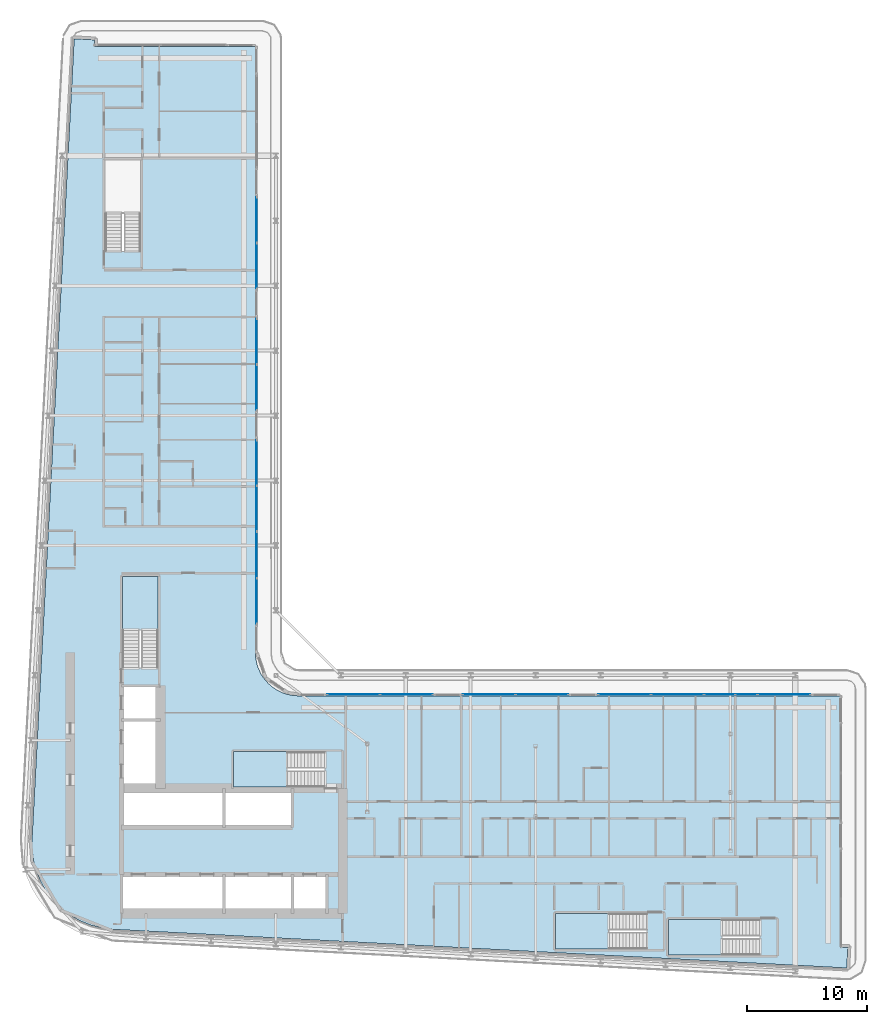
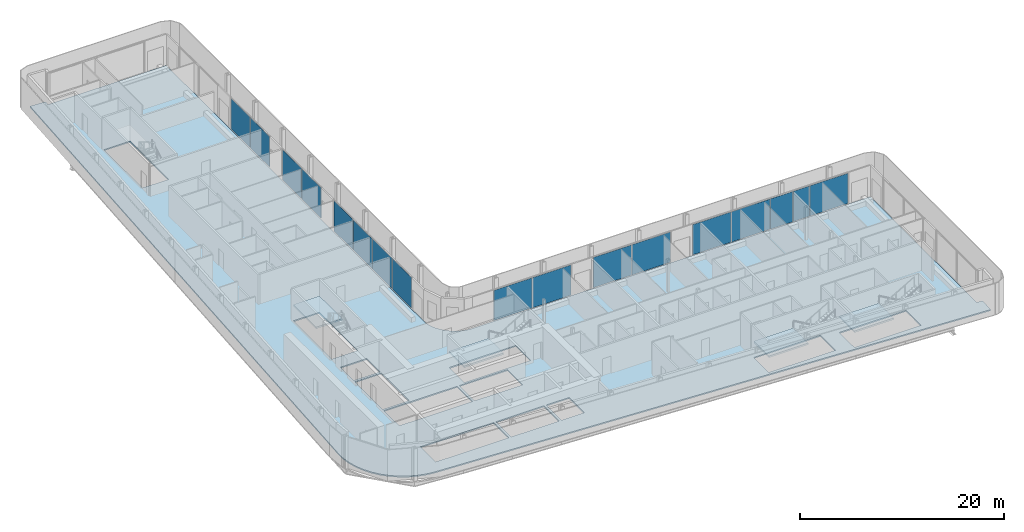
# One storey, part 12 of 29: 17 plates, 5 slabs, 12 elements without a shape of their own.
"""IFC4 building model written with IfcOpenShell, lengths in metres."""

import ifcopenshell
import ifcopenshell.guid

model = None  # the IFC model being written
_history = None  # IfcOwnerHistory: only IFC2X3 demands one
_inside = {}  # id of a spatial element -> (the spatial element, [elements in it])
_under = {}  # id of a project, library or spatial element -> (it, [spatial elements below it])
_declared = {}  # id of a project -> (the project, [libraries it declares])
_typed = {}  # id of a type object -> (the type object, [elements of that type])
_made_of = {}  # id of a material, layer set ... -> (it, [elements and type objects made of it])


def new_model(schema):
    """Start an empty IFC model of exactly this schema.

    Asked for "IFC4X3", IfcOpenShell would pick the latest addendum, in which some entities
    have other attributes; the version numbers below select the first issue.
    IFC2X3 requires an IfcOwnerHistory on every rooted entity: one is made here for all.
    """
    global model, _history
    if schema == "IFC4X3":
        model = ifcopenshell.file(schema_version=(4, 3, 0, 0))
    else:
        model = ifcopenshell.file(schema=schema)
    _inside.clear()
    _under.clear()
    _declared.clear()
    _typed.clear()
    _made_of.clear()
    _history = None
    if model.schema == "IFC2X3":
        org = make("IfcOrganization", Name="unknown")
        user = make(
            "IfcPersonAndOrganization",
            ThePerson=make("IfcPerson", FamilyName="unknown"),
            TheOrganization=org,
        )
        app = make(
            "IfcApplication",
            ApplicationDeveloper=org,
            Version="unknown",
            ApplicationFullName="unknown",
            ApplicationIdentifier="unknown",
        )
        _history = make(
            "IfcOwnerHistory",
            OwningUser=user,
            OwningApplication=app,
            ChangeAction="ADDED",
            CreationDate=0,
        )
    return model


def make(cls, **values):
    """One entity of the class cls with the attributes given. An attribute that is None is left unset."""
    return model.create_entity(
        cls, **{name: value for name, value in values.items() if value is not None}
    )


def rooted(cls, **values):
    """An entity with a GlobalId (a new one), such as an element, a storey or a relation."""
    return make(cls, GlobalId=ifcopenshell.guid.new(), OwnerHistory=_history, **values)


def si_unit(unit_type, name, prefix=None):
    """IfcSIUnit, for example si_unit("LENGTHUNIT", "METRE", prefix="MILLI")."""
    return make("IfcSIUnit", UnitType=unit_type, Prefix=prefix, Name=name)


def assignment(units):
    """IfcUnitAssignment: the units of a project."""
    return None if units is None else make("IfcUnitAssignment", Units=units)


def point(xyz):
    """IfcCartesianPoint."""
    return None if xyz is None else make("IfcCartesianPoint", Coordinates=xyz)


def direction(xyz):
    """IfcDirection."""
    return None if xyz is None else make("IfcDirection", DirectionRatios=xyz)


def frame(location, z_axis=None, x_axis=None):
    """IfcAxis2Placement3D, a coordinate frame: its origin and axes. An axis left out is left unset."""
    return make(
        "IfcAxis2Placement3D",
        Location=point(location),
        Axis=direction(z_axis),
        RefDirection=direction(x_axis),
    )


def frame_2d(location, x_axis=None):
    """IfcAxis2Placement2D, a coordinate frame in the plane: its origin and x axis."""
    return make(
        "IfcAxis2Placement2D", Location=point(location), RefDirection=direction(x_axis)
    )


def origin():
    """The frame at (0, 0, 0) with its axes left unset."""
    return frame((0.0, 0.0, 0.0))


def origin_2d():
    """The frame at (0, 0) in the plane with its x axis left unset."""
    return frame_2d((0.0, 0.0))


def place(relative_to, where):
    """IfcLocalPlacement: puts the frame where relative to a parent placement (None: the world)."""
    return make(
        "IfcLocalPlacement", PlacementRelTo=relative_to, RelativePlacement=where
    )


def context(
    kind, dimensions, precision=None, world=None, true_north=None, identifier=None
):
    """IfcGeometricRepresentationContext, for example the 3D "Model" context."""
    return make(
        "IfcGeometricRepresentationContext",
        ContextIdentifier=identifier,
        ContextType=kind,
        CoordinateSpaceDimension=dimensions,
        Precision=precision,
        WorldCoordinateSystem=world,
        TrueNorth=true_north,
    )


def subcontext(parent, identifier, kind, view, scale=None):
    """IfcGeometricRepresentationSubContext, for example "Body" below "Model"."""
    return make(
        "IfcGeometricRepresentationSubContext",
        ContextIdentifier=identifier,
        ContextType=kind,
        ParentContext=parent,
        TargetScale=scale,
        TargetView=view,
    )


def project(units=None, contexts=None):
    """IfcProject with its units and contexts."""
    return rooted(
        "IfcProject",
        Name="project",
        RepresentationContexts=contexts,
        UnitsInContext=assignment(units),
    )


def spatial(cls, under=None, at=None, **own):
    """A site, building, storey or space (cls), placed at a placement, below another one or the project."""
    s = rooted(cls, ObjectPlacement=at, **own)
    if under is not None:
        _under.setdefault(under.id(), (under, []))[1].append(s)
    return s


def polyline(points):
    """IfcPolyline through the points."""
    return make("IfcPolyline", Points=[point(p) for p in points])


def profile(cls, at=None, kind="AREA", **sizes):
    """A parametric profile (cls). Its sizes go by their IFC names, for example OverallWidth=200.0."""
    return make(cls, ProfileType=kind, Position=at, **sizes)


def rectangle(**sizes):
    """IfcRectangleProfileDef."""
    return profile("IfcRectangleProfileDef", **sizes)


def outline(outer, holes=None, kind="AREA"):
    """IfcArbitraryClosedProfileDef: a profile drawn as a closed curve; with holes, ...WithVoids."""
    if holes is None:
        return make("IfcArbitraryClosedProfileDef", ProfileType=kind, OuterCurve=outer)
    return make(
        "IfcArbitraryProfileDefWithVoids",
        ProfileType=kind,
        OuterCurve=outer,
        InnerCurves=holes,
    )


def extrude(swept, where, along, depth):
    """IfcExtrudedAreaSolid: the profile swept, set in the frame where, extruded along a direction by depth."""
    return make(
        "IfcExtrudedAreaSolid",
        SweptArea=swept,
        Position=where,
        ExtrudedDirection=direction(along),
        Depth=depth,
    )


def shape(context_of_items, identifier, shape_type, items):
    """IfcShapeRepresentation: the items that make up one representation, for example the "Body"."""
    return make(
        "IfcShapeRepresentation",
        ContextOfItems=context_of_items,
        RepresentationIdentifier=identifier,
        RepresentationType=shape_type,
        Items=items,
    )


def material(Name=None, Category=None):
    """IfcMaterial."""
    return make("IfcMaterial", Name=Name, Category=Category)


def layer(
    of_material, thickness, ventilated=None, Name=None, Category=None, Priority=None
):
    """IfcMaterialLayer: one layer of a wall or slab, of a material (None: an air gap)."""
    return make(
        "IfcMaterialLayer",
        Material=of_material,
        LayerThickness=thickness,
        IsVentilated=ventilated,
        Name=Name,
        Category=Category,
        Priority=Priority,
    )


def layer_set(layers, Name=None):
    """IfcMaterialLayerSet."""
    return make("IfcMaterialLayerSet", MaterialLayers=layers, LayerSetName=Name)


def made_of(thing, what):
    """Note that an element or type object is made of a material, layer set ...; save() writes the relation."""
    if what is not None:
        _made_of.setdefault(what.id(), (what, []))[1].append(thing)
    return thing


def type_object(cls, material=None, **own):
    """A type object (cls), such as IfcWallType, which elements share."""
    return made_of(rooted(cls, **own), material)


def element(
    cls,
    number,
    at=None,
    inside=None,
    cuts=None,
    type_object=None,
    material=None,
    context=None,
    identifier="Body",
    shape_type=None,
    held_by="IfcProductDefinitionShape",
    body=None,
    shapes=None,
    **own,
):
    """One element of the class cls, such as IfcWall. Its Tag is "e" and its number.

    at: its placement. inside: the storey or other place that contains it. cuts: it is an
    opening in that element (IfcRelVoidsElement). A single representation is given by context,
    identifier, shape_type and body (its items); several are given by shapes. held_by: the class
    of the entity that holds the representations. save() writes the other relations.
    """
    e = rooted(cls, Tag="e%d" % number, ObjectPlacement=at, **own)
    if body is not None:
        shapes = [shape(context, identifier, shape_type, body)]
    if shapes is not None:
        e.Representation = make(held_by, Representations=shapes)
    if inside is not None:
        _inside.setdefault(inside.id(), (inside, []))[1].append(e)
    if cuts is not None:
        rooted(
            "IfcRelVoidsElement", RelatingBuildingElement=cuts, RelatedOpeningElement=e
        )
    if type_object is not None:
        _typed.setdefault(type_object.id(), (type_object, []))[1].append(e)
    return made_of(e, material)


def aggregate(whole, parts):
    """IfcRelAggregates: a whole, such as a stair, and the parts it consists of."""
    return rooted("IfcRelAggregates", RelatingObject=whole, RelatedObjects=parts)


def save(model, path):
    """Write the relations noted so far, then the file.

    IfcRelAggregates (storeys below a building ...), IfcRelContainedInSpatialStructure (elements
    in a storey), IfcRelDefinesByType, IfcRelAssociatesMaterial and IfcRelDeclares: one each for
    every whole, place, type object, material and project.
    """
    for whole, parts in _under.values():
        aggregate(whole, parts)
    for where, things in _inside.values():
        rooted(
            "IfcRelContainedInSpatialStructure",
            RelatedElements=things,
            RelatingStructure=where,
        )
    for kind, things in _typed.values():
        rooted("IfcRelDefinesByType", RelatedObjects=things, RelatingType=kind)
    for what, things in _made_of.values():
        rooted("IfcRelAssociatesMaterial", RelatedObjects=things, RelatingMaterial=what)
    for by, libraries in _declared.values():
        rooted("IfcRelDeclares", RelatingContext=by, RelatedDefinitions=libraries)
    model.write(path)


model = new_model("IFC4")

# Units and contexts
model_context = context("Model", 3, precision=1e-05, world=origin(), true_north=direction((0.0, 1.0)))
body_context = subcontext(model_context, "Body", "Model", "MODEL_VIEW")
ifc_project = project(units=[si_unit("LENGTHUNIT", "METRE"), si_unit("AREAUNIT", "SQUARE_METRE"), si_unit("VOLUMEUNIT", "CUBIC_METRE"), si_unit("PLANEANGLEUNIT", "RADIAN"), si_unit("MASSUNIT", "GRAM", prefix="KILO")], contexts=[model_context])

# Site, building, storey
site_placement = place(None, origin())
site = spatial("IfcSite", under=ifc_project, at=site_placement, CompositionType="ELEMENT")
building_placement = place(site_placement, origin())
building = spatial("IfcBuilding", under=site, at=building_placement, Name="Kheshtan School and Residences Tower", CompositionType="ELEMENT")
storey_placement = place(building_placement, frame((0.0, 0.0, 168.199951171875)))
storey = spatial("IfcBuildingStorey", under=building, at=storey_placement, Name="L39", CompositionType="ELEMENT", Elevation=168.199951171875)

# Curtain wall, plates
ifc_material_1 = material(Name="Clear low-e glass in thermally broken aluminium frame", Category="aluminium")
ifc_layer_1 = layer(ifc_material_1, 0.199951171875)
ifc_layer_set_1 = layer_set([ifc_layer_1], Name="Curtain wall CW-L")
curtain_wall_type = type_object("IfcCurtainWallType", Name="Curtain wall CW-L", PredefinedType="NOTDEFINED", material=ifc_layer_set_1)
curtain_wall_1_placement = place(storey_placement, origin())
curtain_wall_1 = element("IfcCurtainWall", 1, at=curtain_wall_1_placement, inside=storey, type_object=curtain_wall_type, Name="Curtain wall CWL8", PredefinedType="NOTDEFINED")
ifc_layer_2 = layer(ifc_material_1, 0.031982421875)
ifc_layer_set_2 = layer_set([ifc_layer_2], Name="CW-L glass panel")
plate_type = type_object("IfcPlateType", Name="CW-L glass panel", PredefinedType="CURTAIN_PANEL", material=ifc_layer_set_2)
plate_1_placement = place(storey_placement, frame((46.0, 83.467529296875, 0.0), z_axis=(0.0, 0.0, 1.0), x_axis=(0.0, -1.0, 0.0)))
plate_1 = element("IfcPlate", 2, at=plate_1_placement, type_object=plate_type, Name="CWL8 panel 1.1", PredefinedType="CURTAIN_PANEL", context=body_context, shape_type="SweptSolid", body=[
    extrude(rectangle(XDim=3.757080078125, YDim=0.031982421875, at=origin_2d()), origin(), (0.0, 0.0, 1.0), 3.6298828125),
])
plate_2_placement = place(storey_placement, frame((46.0, 79.650390625, 0.0), z_axis=(0.0, 0.0, 1.0), x_axis=(0.0, -1.0, 0.0)))
plate_2 = element("IfcPlate", 3, at=plate_2_placement, type_object=plate_type, Name="CWL8 panel 2.1", PredefinedType="CURTAIN_PANEL", context=body_context, shape_type="SweptSolid", body=[
    extrude(rectangle(XDim=3.757080078125, YDim=0.031982421875, at=origin_2d()), origin(), (0.0, 0.0, 1.0), 3.6298828125),
])
aggregate(curtain_wall_1, [plate_1, plate_2])

curtain_wall_2_placement = place(storey_placement, origin())
curtain_wall_2 = element("IfcCurtainWall", 4, at=curtain_wall_2_placement, inside=storey, type_object=curtain_wall_type, Name="Curtain wall CWL8", PredefinedType="NOTDEFINED")
plate_3_placement = place(storey_placement, frame((46.0, 73.37353515625, 0.0), z_axis=(0.0, 0.0, 1.0), x_axis=(0.0, -1.0, 0.0)))
plate_3 = element("IfcPlate", 5, at=plate_3_placement, type_object=plate_type, Name="CWL8 panel 1.1", PredefinedType="CURTAIN_PANEL", context=body_context, shape_type="SweptSolid", body=[
    extrude(rectangle(XDim=3.757080078125, YDim=0.031982421875, at=origin_2d()), origin(), (0.0, 0.0, 1.0), 3.6298828125),
])
plate_4_placement = place(storey_placement, frame((46.0, 69.556396484375, 0.0), z_axis=(0.0, 0.0, 1.0), x_axis=(0.0, -1.0, 0.0)))
plate_4 = element("IfcPlate", 6, at=plate_4_placement, type_object=plate_type, Name="CWL8 panel 2.1", PredefinedType="CURTAIN_PANEL", context=body_context, shape_type="SweptSolid", body=[
    extrude(rectangle(XDim=3.757080078125, YDim=0.031982421875, at=origin_2d()), origin(), (0.0, 0.0, 1.0), 3.6298828125),
])
aggregate(curtain_wall_2, [plate_3, plate_4])

curtain_wall_3_placement = place(storey_placement, origin())
curtain_wall_3 = element("IfcCurtainWall", 7, at=curtain_wall_3_placement, inside=storey, type_object=curtain_wall_type, Name="Curtain wall CWL8", PredefinedType="NOTDEFINED")
plate_5_placement = place(storey_placement, frame((46.0, 63.279541015625, 0.0), z_axis=(0.0, 0.0, 1.0), x_axis=(0.0, -1.0, 0.0)))
plate_5 = element("IfcPlate", 8, at=plate_5_placement, type_object=plate_type, Name="CWL8 panel 1.1", PredefinedType="CURTAIN_PANEL", context=body_context, shape_type="SweptSolid", body=[
    extrude(rectangle(XDim=3.757080078125, YDim=0.031982421875, at=origin_2d()), origin(), (0.0, 0.0, 1.0), 3.6298828125),
])
plate_6_placement = place(storey_placement, frame((46.0, 59.46240234375, 0.0), z_axis=(0.0, 0.0, 1.0), x_axis=(0.0, -1.0, 0.0)))
plate_6 = element("IfcPlate", 9, at=plate_6_placement, type_object=plate_type, Name="CWL8 panel 2.1", PredefinedType="CURTAIN_PANEL", context=body_context, shape_type="SweptSolid", body=[
    extrude(rectangle(XDim=3.757080078125, YDim=0.031982421875, at=origin_2d()), origin(), (0.0, 0.0, 1.0), 3.6298828125),
])
aggregate(curtain_wall_3, [plate_5, plate_6])

curtain_wall_4_placement = place(storey_placement, origin())
curtain_wall_4 = element("IfcCurtainWall", 10, at=curtain_wall_4_placement, inside=storey, type_object=curtain_wall_type, Name="Curtain wall CWL8", PredefinedType="NOTDEFINED")
plate_7_placement = place(storey_placement, frame((46.0, 55.615478515625, 0.0), z_axis=(0.0, 0.0, 1.0), x_axis=(0.0, -1.0, 0.0)))
plate_7 = element("IfcPlate", 11, at=plate_7_placement, type_object=plate_type, Name="CWL8 panel 1.1", PredefinedType="CURTAIN_PANEL", context=body_context, shape_type="SweptSolid", body=[
    extrude(rectangle(XDim=3.81689453125, YDim=0.031982421875, at=origin_2d()), origin(), (0.0, 0.0, 1.0), 3.6298828125),
])
plate_8_placement = place(storey_placement, frame((46.0, 51.7685546875, 0.0), z_axis=(0.0, 0.0, 1.0), x_axis=(0.0, -1.0, 0.0)))
plate_8 = element("IfcPlate", 12, at=plate_8_placement, type_object=plate_type, Name="CWL8 panel 2.1", PredefinedType="CURTAIN_PANEL", context=body_context, shape_type="SweptSolid", body=[
    extrude(rectangle(XDim=3.757080078125, YDim=0.031982421875, at=origin_2d()), origin(), (0.0, 0.0, 1.0), 3.6298828125),
])
aggregate(curtain_wall_4, [plate_7, plate_8])

curtain_wall_5_placement = place(storey_placement, origin())
curtain_wall_5 = element("IfcCurtainWall", 13, at=curtain_wall_5_placement, inside=storey, type_object=curtain_wall_type, Name="Curtain wall CWL12f", PredefinedType="NOTDEFINED")
plate_9_placement = place(storey_placement, frame((54.061767578125, 44.0, 0.0), z_axis=(0.0, 0.0, 1.0), x_axis=(1.0, 0.0, 0.0)))
plate_9 = element("IfcPlate", 14, at=plate_9_placement, type_object=plate_type, Name="CWL12f panel 1.1", PredefinedType="CURTAIN_PANEL", context=body_context, shape_type="SweptSolid", body=[
    extrude(rectangle(XDim=4.34375, YDim=0.031982421875, at=origin_2d()), origin(), (0.0, 0.0, 1.0), 3.6298828125),
])
plate_10_placement = place(storey_placement, frame((58.465576171875, 44.0, 0.0), z_axis=(0.0, 0.0, 1.0), x_axis=(1.0, 0.0, 0.0)))
plate_10 = element("IfcPlate", 15, at=plate_10_placement, type_object=plate_type, Name="CWL12f panel 2.1", PredefinedType="CURTAIN_PANEL", context=body_context, shape_type="SweptSolid", body=[
    extrude(rectangle(XDim=4.34375, YDim=0.031982421875, at=origin_2d()), origin(), (0.0, 0.0, 1.0), 3.6298828125),
])
aggregate(curtain_wall_5, [plate_9, plate_10])

curtain_wall_6_placement = place(storey_placement, origin())
curtain_wall_6 = element("IfcCurtainWall", 16, at=curtain_wall_6_placement, inside=storey, type_object=curtain_wall_type, Name="Curtain wall CWL12f", PredefinedType="NOTDEFINED")
plate_11_placement = place(storey_placement, frame((65.329345703125, 44.0, 0.0), z_axis=(0.0, 0.0, 1.0), x_axis=(1.0, 0.0, 0.0)))
plate_11 = element("IfcPlate", 17, at=plate_11_placement, type_object=plate_type, Name="CWL12f panel 1.1", PredefinedType="CURTAIN_PANEL", context=body_context, shape_type="SweptSolid", body=[
    extrude(rectangle(XDim=4.34375, YDim=0.031982421875, at=origin_2d()), origin(), (0.0, 0.0, 1.0), 3.6298828125),
])
plate_12_placement = place(storey_placement, frame((69.733154296875, 44.0, 0.0), z_axis=(0.0, 0.0, 1.0), x_axis=(1.0, 0.0, 0.0)))
plate_12 = element("IfcPlate", 18, at=plate_12_placement, type_object=plate_type, Name="CWL12f panel 2.1", PredefinedType="CURTAIN_PANEL", context=body_context, shape_type="SweptSolid", body=[
    extrude(rectangle(XDim=4.34375, YDim=0.031982421875, at=origin_2d()), origin(), (0.0, 0.0, 1.0), 3.6298828125),
])
aggregate(curtain_wall_6, [plate_11, plate_12])

curtain_wall_7_placement = place(storey_placement, origin())
curtain_wall_7 = element("IfcCurtainWall", 19, at=curtain_wall_7_placement, inside=storey, type_object=curtain_wall_type, Name="Curtain wall CWL12f", PredefinedType="NOTDEFINED")
plate_13_placement = place(storey_placement, frame((76.596923828125, 44.0, 0.0), z_axis=(0.0, 0.0, 1.0), x_axis=(1.0, 0.0, 0.0)))
plate_13 = element("IfcPlate", 20, at=plate_13_placement, type_object=plate_type, Name="CWL12f panel 1.1", PredefinedType="CURTAIN_PANEL", context=body_context, shape_type="SweptSolid", body=[
    extrude(rectangle(XDim=4.34375, YDim=0.031982421875, at=origin_2d()), origin(), (0.0, 0.0, 1.0), 3.6298828125),
])
plate_14_placement = place(storey_placement, frame((81.000732421875, 44.0, 0.0), z_axis=(0.0, 0.0, 1.0), x_axis=(1.0, 0.0, 0.0)))
plate_14 = element("IfcPlate", 21, at=plate_14_placement, type_object=plate_type, Name="CWL12f panel 2.1", PredefinedType="CURTAIN_PANEL", context=body_context, shape_type="SweptSolid", body=[
    extrude(rectangle(XDim=4.34375, YDim=0.031982421875, at=origin_2d()), origin(), (0.0, 0.0, 1.0), 3.6298828125),
])
aggregate(curtain_wall_7, [plate_13, plate_14])

curtain_wall_8_placement = place(storey_placement, origin())
curtain_wall_8 = element("IfcCurtainWall", 22, at=curtain_wall_8_placement, inside=storey, type_object=curtain_wall_type, Name="Curtain wall CWL12y", PredefinedType="NOTDEFINED")
plate_15_placement = place(storey_placement, frame((84.501220703125, 44.0, 0.0), z_axis=(0.0, 0.0, 1.0), x_axis=(1.0, 0.0, 0.0)))
plate_15 = element("IfcPlate", 23, at=plate_15_placement, type_object=plate_type, Name="CWL12y panel 1.1", PredefinedType="CURTAIN_PANEL", context=body_context, shape_type="SweptSolid", body=[
    extrude(rectangle(XDim=2.53759765625, YDim=0.031982421875, at=origin_2d()), origin(), (0.0, 0.0, 1.0), 3.6298828125),
])
plate_16_placement = place(storey_placement, frame((86.733154296875, 44.0, 0.0), z_axis=(0.0, 0.0, 1.0), x_axis=(1.0, 0.0, 0.0)))
plate_16 = element("IfcPlate", 24, at=plate_16_placement, type_object=plate_type, Name="CWL12y panel 2.1", PredefinedType="CURTAIN_PANEL", context=body_context, shape_type="SweptSolid", body=[
    extrude(rectangle(XDim=1.80615234375, YDim=0.031982421875, at=origin_2d()), origin(), (0.0, 0.0, 1.0), 3.6298828125),
])
plate_17_placement = place(storey_placement, frame((89.8681640625, 44.0, 0.0), z_axis=(0.0, 0.0, 1.0), x_axis=(1.0, 0.0, 0.0)))
plate_17 = element("IfcPlate", 25, at=plate_17_placement, type_object=plate_type, Name="CWL12y panel 3.1", PredefinedType="CURTAIN_PANEL", context=body_context, shape_type="SweptSolid", body=[
    extrude(rectangle(XDim=4.34375, YDim=0.031982421875, at=origin_2d()), origin(), (0.0, 0.0, 1.0), 3.6298828125),
])
aggregate(curtain_wall_8, [plate_15, plate_16, plate_17])

# Slab
ifc_material_2 = material(Name="Concrete C40/50", Category="concrete")
ifc_layer_3 = layer(ifc_material_2, 0.14990234375)
ifc_layer_set_3 = layer_set([ifc_layer_3], Name="Floor slab 150 Concrete C40/50")
slab_type_1 = type_object("IfcSlabType", Name="Floor slab 150 Concrete C40/50", PredefinedType="FLOOR", material=ifc_layer_set_3)
slab_1_placement = place(storey_placement, frame((0.0, 0.0, -0.14990234375)))
element("IfcSlab", 26, at=slab_1_placement, inside=storey, type_object=slab_type_1, Name="Floor slab L39", PredefinedType="FLOOR", context=body_context, shape_type="SweptSolid", body=[
    extrude(outline(polyline([(27.718017578125, 29.200927734375), (27.466064453125, 30.093017578125), (27.466064453125, 30.093994140625), (27.3330078125, 31.013916015625), (27.320068359375, 31.965087890625), (27.320068359375, 31.970947265625), (30.822021484375, 98.5009765625), (30.822998046875, 98.508056640625), (30.825927734375, 98.531005859375), (30.825927734375, 98.531982421875), (30.826904296875, 98.531982421875), (31.422119140625, 98.5), (31.423095703125, 98.5), (31.423095703125, 98.4990234375), (31.423095703125, 98.4951171875), (31.423095703125, 98.493896484375), (31.424072265625, 98.493896484375), (31.424072265625, 98.492919921875), (31.425048828125, 98.492919921875), (31.426025390625, 98.492919921875), (31.426025390625, 98.493896484375), (31.427978515625, 98.49609375), (31.428955078125, 98.4970703125), (31.429931640625, 98.498046875), (31.430908203125, 98.498046875), (31.430908203125, 98.4990234375), (31.431884765625, 98.4990234375), (31.431884765625, 98.5), (31.43505859375, 98.5009765625), (31.43603515625, 98.501953125), (31.43896484375, 98.501953125), (31.43994140625, 98.501953125), (31.43994140625, 98.5029296875), (31.44091796875, 98.5029296875), (31.446044921875, 98.5029296875), (32.5009765625, 98.447021484375), (32.50390625, 98.447021484375), (32.5048828125, 98.447021484375), (32.5048828125, 98.446044921875), (32.506103515625, 98.446044921875), (32.510009765625, 98.446044921875), (32.510009765625, 98.445068359375), (32.510986328125, 98.445068359375), (32.510986328125, 98.444091796875), (32.511962890625, 98.444091796875), (32.511962890625, 98.443115234375), (32.512939453125, 98.443115234375), (32.513916015625, 98.443115234375), (32.513916015625, 98.44189453125), (32.514892578125, 98.44189453125), (32.51611328125, 98.44189453125), (32.51904296875, 98.43896484375), (32.51904296875, 98.43798828125), (32.51904296875, 98.43701171875), (32.52001953125, 98.43701171875), (32.52001953125, 98.43603515625), (32.52099609375, 98.43603515625), (32.52099609375, 98.43408203125), (32.52099609375, 98.43310546875), (32.52197265625, 98.43310546875), (32.52197265625, 98.431884765625), (32.52294921875, 98.431884765625), (32.52294921875, 98.430908203125), (32.52294921875, 98.428955078125), (32.52294921875, 98.427978515625), (32.52392578125, 98.427978515625), (32.52392578125, 98.427001953125), (32.52392578125, 98.422119140625), (32.4970703125, 97.9208984375), (32.4970703125, 97.91796875), (32.4970703125, 97.9169921875), (32.49609375, 97.9169921875), (32.49609375, 97.916015625), (32.49609375, 97.912109375), (32.4951171875, 97.910888671875), (32.4951171875, 97.909912109375), (32.493896484375, 97.909912109375), (32.493896484375, 97.908935546875), (32.492919921875, 97.908935546875), (32.492919921875, 97.907958984375), (32.489013671875, 97.904052734375), (32.488037109375, 97.904052734375), (32.488037109375, 97.903076171875), (32.488037109375, 97.902099609375), (32.488037109375, 97.90087890625), (32.489013671875, 97.90087890625), (32.489013671875, 97.89990234375), (32.489990234375, 97.89990234375), (45.85498046875, 97.89990234375), (45.864990234375, 97.89794921875), (45.865966796875, 97.89794921875), (45.868896484375, 97.89599609375), (45.8740234375, 97.89404296875), (45.8779296875, 97.89208984375), (45.881103515625, 97.889892578125), (45.881103515625, 97.888916015625), (45.882080078125, 97.888916015625), (45.882080078125, 97.887939453125), (45.883056640625, 97.887939453125), (45.884033203125, 97.885009765625), (45.885009765625, 97.885009765625), (45.885009765625, 97.884033203125), (45.887939453125, 97.883056640625), (45.887939453125, 97.882080078125), (45.888916015625, 97.882080078125), (45.888916015625, 97.881103515625), (45.889892578125, 97.881103515625), (45.89208984375, 97.8779296875), (45.89404296875, 97.8740234375), (45.89599609375, 97.868896484375), (45.89794921875, 97.865966796875), (45.89794921875, 97.864990234375), (45.89990234375, 97.85498046875), (45.89990234375, 47.429931640625), (45.927001953125, 47.030029296875), (46.01806640625, 46.570068359375), (46.01806640625, 46.569091796875), (46.169921875, 46.1201171875), (46.37890625, 45.697021484375), (46.638916015625, 45.30810546875), (46.949951171875, 44.950927734375), (46.950927734375, 44.949951171875), (47.30810546875, 44.638916015625), (47.697021484375, 44.37890625), (48.1201171875, 44.169921875), (48.569091796875, 44.01806640625), (48.570068359375, 44.01806640625), (49.030029296875, 43.927001953125), (49.429931640625, 43.89990234375), (94.455078125, 43.89990234375), (94.4599609375, 43.89892578125), (94.465087890625, 43.89794921875), (94.466064453125, 43.89794921875), (94.468994140625, 43.89599609375), (94.47412109375, 43.89404296875), (94.47802734375, 43.89208984375), (94.48095703125, 43.889892578125), (94.48095703125, 43.888916015625), (94.48193359375, 43.888916015625), (94.48193359375, 43.887939453125), (94.48291015625, 43.887939453125), (94.48388671875, 43.885009765625), (94.485107421875, 43.885009765625), (94.485107421875, 43.884033203125), (94.488037109375, 43.883056640625), (94.488037109375, 43.882080078125), (94.489013671875, 43.882080078125), (94.489013671875, 43.881103515625), (94.489990234375, 43.881103515625), (94.491943359375, 43.8779296875), (94.493896484375, 43.8740234375), (94.49609375, 43.868896484375), (94.498046875, 43.865966796875), (94.498046875, 43.864990234375), (94.4990234375, 43.860107421875), (94.5, 43.85498046875), (94.5, 22.992919921875), (94.5, 22.991943359375), (94.5009765625, 22.991943359375), (94.5009765625, 22.990966796875), (94.501953125, 22.990966796875), (94.5029296875, 22.990966796875), (94.5029296875, 22.991943359375), (94.5048828125, 22.993896484375), (94.506103515625, 22.9951171875), (94.507080078125, 22.99609375), (94.508056640625, 22.99609375), (94.508056640625, 22.9970703125), (94.509033203125, 22.9970703125), (94.509033203125, 22.998046875), (94.511962890625, 22.9990234375), (94.512939453125, 23.0), (94.51611328125, 23.0), (94.51708984375, 23.0), (94.51708984375, 23.0009765625), (94.51806640625, 23.0009765625), (94.52294921875, 23.0009765625), (95.137939453125, 22.968017578125), (95.14111328125, 22.968017578125), (95.14208984375, 22.968017578125), (95.14208984375, 22.967041015625), (95.14306640625, 22.967041015625), (95.14697265625, 22.967041015625), (95.14697265625, 22.966064453125), (95.14794921875, 22.966064453125), (95.14794921875, 22.965087890625), (95.14892578125, 22.965087890625), (95.14892578125, 22.964111328125), (95.14990234375, 22.964111328125), (95.15087890625, 22.964111328125), (95.15087890625, 22.962890625), (95.152099609375, 22.962890625), (95.153076171875, 22.962890625), (95.153076171875, 22.9619140625), (95.155029296875, 22.9599609375), (95.156005859375, 22.9599609375), (95.156005859375, 22.958984375), (95.156005859375, 22.9580078125), (95.156982421875, 22.9580078125), (95.156982421875, 22.95703125), (95.157958984375, 22.95703125), (95.157958984375, 22.955078125), (95.157958984375, 22.9541015625), (95.158935546875, 22.9541015625), (95.158935546875, 22.952880859375), (95.159912109375, 22.952880859375), (95.159912109375, 22.951904296875), (95.159912109375, 22.949951171875), (95.159912109375, 22.948974609375), (95.160888671875, 22.948974609375), (95.160888671875, 22.947998046875), (95.160888671875, 22.943115234375), (95.10498046875, 21.885986328125), (95.10498046875, 21.883056640625), (95.10498046875, 21.882080078125), (95.10400390625, 21.882080078125), (95.10400390625, 21.881103515625), (95.10400390625, 21.876953125), (95.10302734375, 21.8759765625), (95.10302734375, 21.875), (95.10205078125, 21.875), (95.10205078125, 21.8740234375), (95.10107421875, 21.8740234375), (95.10107421875, 21.873046875), (95.10009765625, 21.8720703125), (95.097900390625, 21.8701171875), (95.096923828125, 21.868896484375), (95.095947265625, 21.868896484375), (95.095947265625, 21.867919921875), (95.095947265625, 21.866943359375), (95.095947265625, 21.865966796875), (95.096923828125, 21.865966796875), (95.096923828125, 21.864990234375), (95.097900390625, 21.864990234375), (95.09912109375, 21.864990234375), (95.10009765625, 21.864990234375), (95.10009765625, 21.864013671875), (95.068115234375, 21.26904296875), (95.068115234375, 21.26806640625), (95.06689453125, 21.26806640625), (95.04296875, 21.26708984375), (95.0380859375, 21.26708984375), (34.056884765625, 24.47802734375), (33.114990234375, 24.590087890625), (32.215087890625, 24.819091796875), (32.214111328125, 24.819091796875), (31.35205078125, 25.1630859375), (30.541015625, 25.616943359375), (29.799072265625, 26.1708984375), (29.799072265625, 26.172119140625), (29.798095703125, 26.172119140625), (29.134033203125, 26.820068359375), (29.134033203125, 26.821044921875), (29.133056640625, 26.821044921875), (28.55908203125, 27.550048828125), (28.0849609375, 28.345947265625), (27.718017578125, 29.200927734375)]), holes=[polyline([(94.5, 21.87109375), (94.5, 21.866943359375), (94.5, 21.865966796875), (94.5009765625, 21.865966796875), (94.5009765625, 21.864990234375), (94.501953125, 21.864990234375), (94.506103515625, 21.864990234375), (94.507080078125, 21.864990234375), (94.507080078125, 21.865966796875), (94.508056640625, 21.865966796875), (94.508056640625, 21.866943359375), (94.508056640625, 21.867919921875), (94.507080078125, 21.867919921875), (94.506103515625, 21.868896484375), (94.5048828125, 21.8701171875), (94.50390625, 21.87109375), (94.5029296875, 21.8720703125), (94.5029296875, 21.873046875), (94.501953125, 21.873046875), (94.5009765625, 21.873046875), (94.5009765625, 21.8720703125), (94.5, 21.8720703125), (94.5, 21.87109375)]), polyline([(31.423095703125, 97.906005859375), (31.423095703125, 97.902099609375), (31.423095703125, 97.90087890625), (31.424072265625, 97.90087890625), (31.424072265625, 97.89990234375), (31.425048828125, 97.89990234375), (31.428955078125, 97.89990234375), (31.429931640625, 97.89990234375), (31.429931640625, 97.90087890625), (31.430908203125, 97.90087890625), (31.430908203125, 97.902099609375), (31.430908203125, 97.903076171875), (31.429931640625, 97.903076171875), (31.428955078125, 97.904052734375), (31.427978515625, 97.905029296875), (31.427001953125, 97.906005859375), (31.426025390625, 97.906982421875), (31.426025390625, 97.907958984375), (31.425048828125, 97.907958984375), (31.424072265625, 97.907958984375), (31.424072265625, 97.906982421875), (31.423095703125, 97.906982421875), (31.423095703125, 97.906005859375)]), polyline([(34.875, 28.925048828125), (34.875, 25.925048828125), (43.175048828125, 25.925048828125), (43.175048828125, 28.925048828125), (34.875, 28.925048828125)]), polyline([(43.175048828125, 36.074951171875), (34.875, 36.074951171875), (34.875, 33.074951171875), (43.175048828125, 33.074951171875), (43.175048828125, 36.074951171875)]), polyline([(34.875, 41.77490234375), (34.875, 36.324951171875), (37.875, 36.324951171875), (37.875, 41.77490234375), (34.875, 41.77490234375)]), polyline([(34.875, 42.02490234375), (37.875, 42.02490234375), (37.875, 44.625), (34.875, 44.625), (34.875, 42.02490234375)]), polyline([(37.800048828125, 46.25), (37.800048828125, 53.81005859375), (34.85009765625, 53.81005859375), (34.85009765625, 46.260009765625), (36.25, 46.260009765625), (36.25, 46.25), (37.800048828125, 46.25)]), polyline([(33.39990234375, 88.4599609375), (33.39990234375, 80.909912109375), (34.800048828125, 80.909912109375), (34.800048828125, 80.89990234375), (36.35009765625, 80.89990234375), (36.35009765625, 88.4599609375), (33.39990234375, 88.4599609375)]), polyline([(87.81005859375, 22.35009765625), (87.81005859375, 23.75), (87.820068359375, 23.75), (87.820068359375, 25.300048828125), (80.260009765625, 25.300048828125), (80.260009765625, 22.35009765625), (87.81005859375, 22.35009765625)]), polyline([(70.85009765625, 22.85009765625), (78.39990234375, 22.85009765625), (78.39990234375, 24.25), (78.409912109375, 24.25), (78.409912109375, 25.800048828125), (70.85009765625, 25.800048828125), (70.85009765625, 22.85009765625)]), polyline([(43.425048828125, 25.925048828125), (48.875, 25.925048828125), (48.875, 28.925048828125), (43.425048828125, 28.925048828125), (43.425048828125, 25.925048828125)]), polyline([(49.125, 25.925048828125), (51.72509765625, 25.925048828125), (51.72509765625, 28.925048828125), (49.125, 28.925048828125), (49.125, 25.925048828125)]), polyline([(43.425048828125, 33.074951171875), (48.875, 33.074951171875), (48.875, 36.074951171875), (43.425048828125, 36.074951171875), (43.425048828125, 33.074951171875)]), polyline([(51.64990234375, 39.25), (44.090087890625, 39.25), (44.090087890625, 36.300048828125), (51.639892578125, 36.300048828125), (51.639892578125, 37.699951171875), (51.64990234375, 37.699951171875), (51.64990234375, 39.25)])]), origin(), (0.0, 0.0, 1.0), 0.14990234375),
])

# Stair, slab
stair_type = type_object("IfcStairType", Name="Exit stair, half-turn", PredefinedType="HALF_TURN_STAIR", material=ifc_material_2)
stair_1_placement = place(storey_placement, origin())
stair_1 = element("IfcStair", 27, at=stair_1_placement, inside=storey, type_object=stair_type, Name="L39 Protected Exit Stair ST1", PredefinedType="HALF_TURN_STAIR")
ifc_layer_4 = layer(ifc_material_2, 0.199951171875)
ifc_layer_set_4 = layer_set([ifc_layer_4], Name="Stair landing 200 Concrete C40/50")
slab_type_2 = type_object("IfcSlabType", Name="Stair landing 200 Concrete C40/50", PredefinedType="LANDING", material=ifc_layer_set_4)
slab_2_placement = place(storey_placement, frame((0.0, 0.0, 1.75)))
slab_2 = element("IfcSlab", 28, at=slab_2_placement, type_object=slab_type_2, Name="ST1 landing 1", PredefinedType="LANDING", context=body_context, shape_type="SweptSolid", body=[
    extrude(outline(polyline([(48.570068359375, 39.25), (44.090087890625, 39.25), (44.090087890625, 36.300048828125), (48.570068359375, 36.300048828125), (48.570068359375, 39.25)])), origin(), (0.0, 0.0, 1.0), 0.199951171875),
])
aggregate(stair_1, [slab_2])

stair_2_placement = place(storey_placement, origin())
stair_2 = element("IfcStair", 29, at=stair_2_placement, inside=storey, type_object=stair_type, Name="L39 Protected Exit Stair ST2", PredefinedType="HALF_TURN_STAIR")
slab_3_placement = place(storey_placement, frame((0.0, 0.0, 1.75)))
slab_3 = element("IfcSlab", 30, at=slab_3_placement, type_object=slab_type_2, Name="ST2 landing 1", PredefinedType="LANDING", context=body_context, shape_type="SweptSolid", body=[
    extrude(outline(polyline([(37.800048828125, 49.330078125), (37.800048828125, 53.81005859375), (34.85009765625, 53.81005859375), (34.85009765625, 49.330078125), (37.800048828125, 49.330078125)])), origin(), (0.0, 0.0, 1.0), 0.199951171875),
])
aggregate(stair_2, [slab_3])

stair_3_placement = place(storey_placement, origin())
stair_3 = element("IfcStair", 31, at=stair_3_placement, inside=storey, type_object=stair_type, Name="L39 Protected Exit Stair ST4", PredefinedType="HALF_TURN_STAIR")
slab_4_placement = place(storey_placement, frame((0.0, 0.0, 1.75)))
slab_4 = element("IfcSlab", 32, at=slab_4_placement, type_object=slab_type_2, Name="ST4 landing 1", PredefinedType="LANDING", context=body_context, shape_type="SweptSolid", body=[
    extrude(outline(polyline([(84.739990234375, 25.300048828125), (80.260009765625, 25.300048828125), (80.260009765625, 22.35009765625), (84.739990234375, 22.35009765625), (84.739990234375, 25.300048828125)])), origin(), (0.0, 0.0, 1.0), 0.199951171875),
])
aggregate(stair_3, [slab_4])

stair_4_placement = place(storey_placement, origin())
stair_4 = element("IfcStair", 33, at=stair_4_placement, inside=storey, type_object=stair_type, Name="L39 Protected Exit Stair ST5", PredefinedType="HALF_TURN_STAIR")
slab_5_placement = place(storey_placement, frame((0.0, 0.0, 1.75)))
slab_5 = element("IfcSlab", 34, at=slab_5_placement, type_object=slab_type_2, Name="ST5 landing 1", PredefinedType="LANDING", context=body_context, shape_type="SweptSolid", body=[
    extrude(outline(polyline([(75.330078125, 25.800048828125), (70.85009765625, 25.800048828125), (70.85009765625, 22.85009765625), (75.330078125, 22.85009765625), (75.330078125, 25.800048828125)])), origin(), (0.0, 0.0, 1.0), 0.199951171875),
])
aggregate(stair_4, [slab_5])

save(model, "model.ifc")
